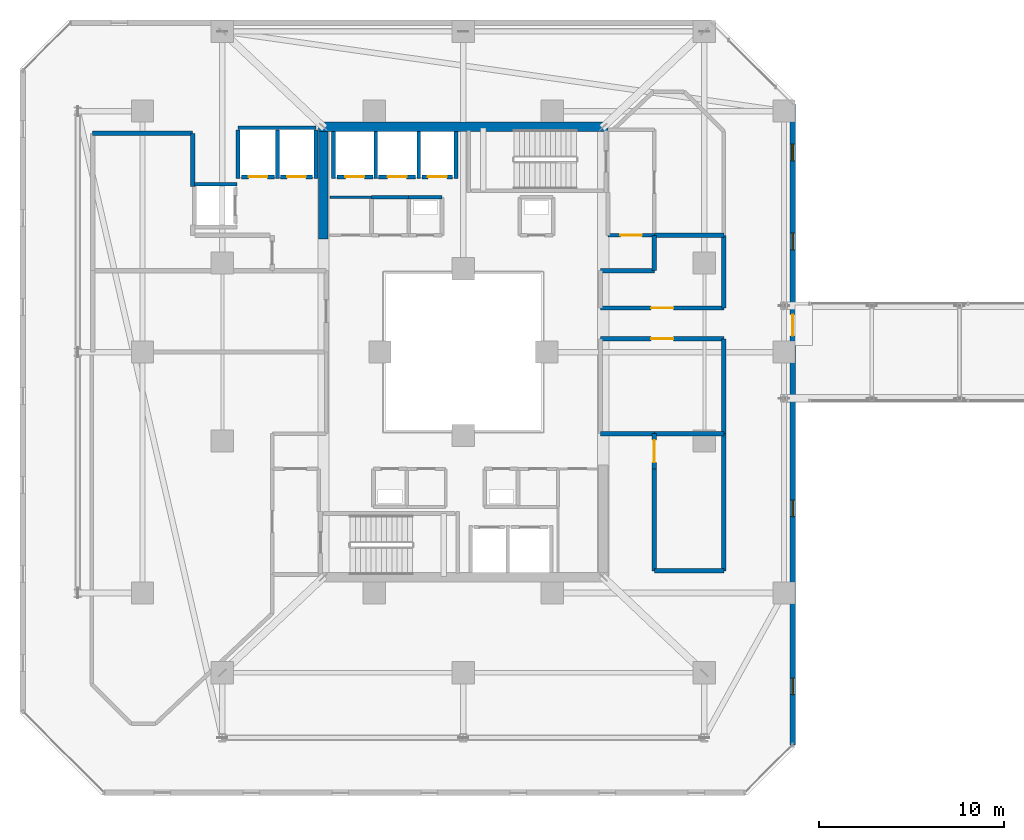
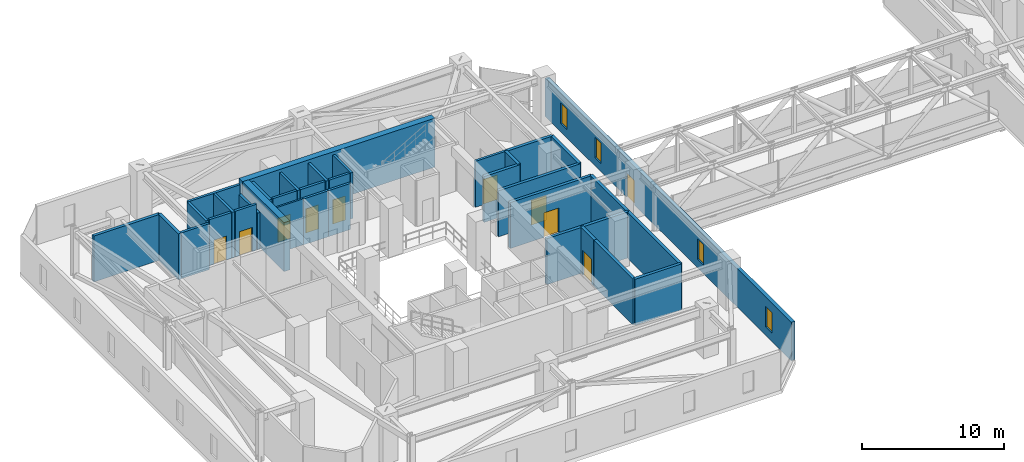
# One storey, part 37 of 45: 36 walls, 10 doors, 4 windows, 14 openings.
"""IFC4 building model written with IfcOpenShell, lengths in metres."""

from ifc_helpers import new_model, si_unit, direction, frame, frame_2d, origin, place, context, subcontext, project, spatial, rectangle, extrude, material, layer, layer_set, type_object, element, fill, save


model = new_model("IFC4")

# Units and contexts
model_context = context("Model", 3, precision=1e-05, world=origin(), true_north=direction((0.0, 1.0)))
body_context = subcontext(model_context, "Body", "Model", "MODEL_VIEW")
ifc_project = project(units=[si_unit("LENGTHUNIT", "METRE"), si_unit("AREAUNIT", "SQUARE_METRE"), si_unit("VOLUMEUNIT", "CUBIC_METRE"), si_unit("PLANEANGLEUNIT", "RADIAN"), si_unit("MASSUNIT", "GRAM", prefix="KILO")], contexts=[model_context])

# Site, building, storey
site_placement = place(None, origin())
site = spatial("IfcSite", under=ifc_project, at=site_placement, CompositionType="ELEMENT")
building_placement = place(site_placement, origin())
building = spatial("IfcBuilding", under=site, at=building_placement, Name="Thornwick Lancets Civic Towers", CompositionType="ELEMENT")
storey_placement = place(building_placement, frame((0.0, 0.0, 141.300048828125)))
storey = spatial("IfcBuildingStorey", under=building, at=storey_placement, Name="L37", CompositionType="ELEMENT", Elevation=141.300048828125)

# Wall, opening, door
ifc_material_1 = material(Name="Concrete blockwork C40/50", Category="masonry")
ifc_layer_1 = layer(ifc_material_1, 0.199951171875, Name="Concrete blockwork C40/50")
ifc_layer_set_1 = layer_set([ifc_layer_1], Name="Concrete blockwork C40/50")
wall_type_1 = type_object("IfcWallType", Name="WALL_COMP_200", PredefinedType="STANDARD", material=ifc_layer_set_1)
wall_1_placement = place(storey_placement, frame((24.919921875, 36.449951171875, 0.0), z_axis=(0.0, 0.0, 1.0), x_axis=(-1.0, 0.0, 0.0)))
wall_1 = element("IfcWall", 1, at=wall_1_placement, inside=storey, type_object=wall_type_1, Name="L37 Hoistway Front Wall FL-A2", PredefinedType="STANDARD", context=body_context, shape_type="SweptSolid", body=[
    extrude(rectangle(XDim=1.639892578125, YDim=0.199951171875, at=frame_2d((0.81982421875, 0.0))), origin(), (0.0, 0.0, 1.0), 3.93994140625),
])
opening_1_placement = place(wall_1_placement, frame((0.31005859375, 0.0, 0.0)))
opening_1 = element("IfcOpeningElement", 2, at=opening_1_placement, cuts=wall_1, Name="Opening LD-FL-A2", PredefinedType="OPENING", context=body_context, shape_type="SweptSolid", body=[
    extrude(rectangle(XDim=1.02001953125, YDim=2.06005859375, at=frame_2d((0.510009765625, 1.030029296875))), frame((0.0, 0.10986328125, 0.0), z_axis=(0.0, -1.0, 0.0), x_axis=(1.0, 0.0, 0.0)), (0.0, 0.0, 1.0), 0.219970703125),
])
ifc_material_2 = material(Name="Brushed bronze stainless steel", Category="steel")
door_type_1 = type_object("IfcDoorType", Name="DOOR_LIFT_SLIDE", OperationType="SLIDING_TO_LEFT", PredefinedType="DOOR", material=ifc_material_2)
door_1_placement = place(opening_1_placement, origin())
door_1 = element("IfcDoor", 3, at=door_1_placement, inside=storey, type_object=door_type_1, Name="L37 Sliding Lift Landing Door LD-FL-A2", OperationType="SLIDING_TO_LEFT", OverallHeight=2.06005859375, OverallWidth=1.02001953125, PredefinedType="DOOR", context=body_context, shape_type="SweptSolid", body=[
    extrude(rectangle(XDim=1.02001953125, YDim=2.06005859375, at=frame_2d((0.510009765625, 1.030029296875))), frame((0.0, 0.02490234375, 0.0), z_axis=(0.0, -1.0, 0.0), x_axis=(1.0, 0.0, 0.0)), (0.0, 0.0, 1.0), 0.050048828125),
])
fill(opening_1, door_1)

wall_2_placement = place(storey_placement, frame((22.919921875, 36.449951171875, 0.0), z_axis=(0.0, 0.0, 1.0), x_axis=(-1.0, 0.0, 0.0)))
wall_2 = element("IfcWall", 4, at=wall_2_placement, inside=storey, type_object=wall_type_1, Name="L37 Hoistway Front Wall PL-AH2", PredefinedType="STANDARD", context=body_context, shape_type="SweptSolid", body=[
    extrude(rectangle(XDim=1.989990234375, YDim=0.199951171875, at=frame_2d((0.9951171875, 0.0))), origin(), (0.0, 0.0, 1.0), 3.93994140625),
])
opening_2_placement = place(wall_2_placement, frame((0.485107421875, 0.0, 0.0)))
opening_2 = element("IfcOpeningElement", 5, at=opening_2_placement, cuts=wall_2, Name="Opening LD-PL-AH2", PredefinedType="OPENING", context=body_context, shape_type="SweptSolid", body=[
    extrude(rectangle(XDim=1.02001953125, YDim=2.06005859375, at=frame_2d((0.510009765625, 1.030029296875))), frame((0.0, 0.10986328125, 0.0), z_axis=(0.0, -1.0, 0.0), x_axis=(1.0, 0.0, 0.0)), (0.0, 0.0, 1.0), 0.219970703125),
])
door_2_placement = place(opening_2_placement, origin())
door_2 = element("IfcDoor", 6, at=door_2_placement, inside=storey, type_object=door_type_1, Name="L37 Sliding Lift Landing Door LD-PL-AH2", OperationType="SLIDING_TO_LEFT", OverallHeight=2.06005859375, OverallWidth=1.02001953125, PredefinedType="DOOR", context=body_context, shape_type="SweptSolid", body=[
    extrude(rectangle(XDim=1.02001953125, YDim=2.06005859375, at=frame_2d((0.510009765625, 1.030029296875))), frame((0.0, 0.02490234375, 0.0), z_axis=(0.0, -1.0, 0.0), x_axis=(1.0, 0.0, 0.0)), (0.0, 0.0, 1.0), 0.050048828125),
])
fill(opening_2, door_2)

wall_3_placement = place(storey_placement, frame((20.6201171875, 36.449951171875, 0.0), z_axis=(0.0, 0.0, 1.0), x_axis=(-1.0, 0.0, 0.0)))
wall_3 = element("IfcWall", 7, at=wall_3_placement, inside=storey, type_object=wall_type_1, Name="L37 Hoistway Front Wall PL-AH3", PredefinedType="STANDARD", context=body_context, shape_type="SweptSolid", body=[
    extrude(rectangle(XDim=1.940185546875, YDim=0.199951171875, at=frame_2d((0.97021484375, 0.0))), origin(), (0.0, 0.0, 1.0), 3.93994140625),
])
opening_3_placement = place(wall_3_placement, frame((0.4599609375, 0.0, 0.0)))
opening_3 = element("IfcOpeningElement", 8, at=opening_3_placement, cuts=wall_3, Name="Opening LD-PL-AH3", PredefinedType="OPENING", context=body_context, shape_type="SweptSolid", body=[
    extrude(rectangle(XDim=1.02001953125, YDim=2.06005859375, at=frame_2d((0.510009765625, 1.030029296875))), frame((0.0, 0.10986328125, 0.0), z_axis=(0.0, -1.0, 0.0), x_axis=(1.0, 0.0, 0.0)), (0.0, 0.0, 1.0), 0.219970703125),
])
door_3_placement = place(opening_3_placement, origin())
door_3 = element("IfcDoor", 9, at=door_3_placement, inside=storey, type_object=door_type_1, Name="L37 Sliding Lift Landing Door LD-PL-AH3", OperationType="SLIDING_TO_LEFT", OverallHeight=2.06005859375, OverallWidth=1.02001953125, PredefinedType="DOOR", context=body_context, shape_type="SweptSolid", body=[
    extrude(rectangle(XDim=1.02001953125, YDim=2.06005859375, at=frame_2d((0.510009765625, 1.030029296875))), frame((0.0, 0.02490234375, 0.0), z_axis=(0.0, -1.0, 0.0), x_axis=(1.0, 0.0, 0.0)), (0.0, 0.0, 1.0), 0.050048828125),
])
fill(opening_3, door_3)

wall_4_placement = place(storey_placement, frame((17.3701171875, 36.449951171875, 0.0), z_axis=(0.0, 0.0, 1.0), x_axis=(-1.0, 0.0, 0.0)))
wall_4 = element("IfcWall", 10, at=wall_4_placement, inside=storey, type_object=wall_type_1, Name="L37 Hoistway Front Wall PL-AM1", PredefinedType="STANDARD", context=body_context, shape_type="SweptSolid", body=[
    extrude(rectangle(XDim=1.740234375, YDim=0.199951171875, at=frame_2d((0.8701171875, 0.0))), origin(), (0.0, 0.0, 1.0), 3.93994140625),
])
opening_4_placement = place(wall_4_placement, frame((0.360107421875, 0.0, 0.0)))
opening_4 = element("IfcOpeningElement", 11, at=opening_4_placement, cuts=wall_4, Name="Opening LD-PL-AM1", PredefinedType="OPENING", context=body_context, shape_type="SweptSolid", body=[
    extrude(rectangle(XDim=1.02001953125, YDim=2.06005859375, at=frame_2d((0.510009765625, 1.030029296875))), frame((0.0, 0.10986328125, 0.0), z_axis=(0.0, -1.0, 0.0), x_axis=(1.0, 0.0, 0.0)), (0.0, 0.0, 1.0), 0.219970703125),
])
door_4_placement = place(opening_4_placement, origin())
door_4 = element("IfcDoor", 12, at=door_4_placement, inside=storey, type_object=door_type_1, Name="L37 Sliding Lift Landing Door LD-PL-AM1", OperationType="SLIDING_TO_LEFT", OverallHeight=2.06005859375, OverallWidth=1.02001953125, PredefinedType="DOOR", context=body_context, shape_type="SweptSolid", body=[
    extrude(rectangle(XDim=1.02001953125, YDim=2.06005859375, at=frame_2d((0.510009765625, 1.030029296875))), frame((0.0, 0.02490234375, 0.0), z_axis=(0.0, -1.0, 0.0), x_axis=(1.0, 0.0, 0.0)), (0.0, 0.0, 1.0), 0.050048828125),
])
fill(opening_4, door_4)

wall_5_placement = place(storey_placement, frame((15.320068359375, 36.449951171875, 0.0), z_axis=(0.0, 0.0, 1.0), x_axis=(-1.0, 0.0, 0.0)))
wall_5 = element("IfcWall", 13, at=wall_5_placement, inside=storey, type_object=wall_type_1, Name="L37 Hoistway Front Wall PL-AM2", PredefinedType="STANDARD", context=body_context, shape_type="SweptSolid", body=[
    extrude(rectangle(XDim=1.7900390625, YDim=0.199951171875, at=frame_2d((0.89501953125, 0.0))), origin(), (0.0, 0.0, 1.0), 3.93994140625),
])
opening_5_placement = place(wall_5_placement, frame((0.385009765625, 0.0, 0.0)))
opening_5 = element("IfcOpeningElement", 14, at=opening_5_placement, cuts=wall_5, Name="Opening LD-PL-AM2", PredefinedType="OPENING", context=body_context, shape_type="SweptSolid", body=[
    extrude(rectangle(XDim=1.02001953125, YDim=2.06005859375, at=frame_2d((0.510009765625, 1.030029296875))), frame((0.0, 0.10986328125, 0.0), z_axis=(0.0, -1.0, 0.0), x_axis=(1.0, 0.0, 0.0)), (0.0, 0.0, 1.0), 0.219970703125),
])
door_5_placement = place(opening_5_placement, origin())
door_5 = element("IfcDoor", 15, at=door_5_placement, inside=storey, type_object=door_type_1, Name="L37 Sliding Lift Landing Door LD-PL-AM2", OperationType="SLIDING_TO_LEFT", OverallHeight=2.06005859375, OverallWidth=1.02001953125, PredefinedType="DOOR", context=body_context, shape_type="SweptSolid", body=[
    extrude(rectangle(XDim=1.02001953125, YDim=2.06005859375, at=frame_2d((0.510009765625, 1.030029296875))), frame((0.0, 0.02490234375, 0.0), z_axis=(0.0, -1.0, 0.0), x_axis=(1.0, 0.0, 0.0)), (0.0, 0.0, 1.0), 0.050048828125),
])
fill(opening_5, door_5)

# Walls
for number, where, z_axis, x_axis, name in (
    (16, (25.10009765625, 36.35205078125, 0.0), (0.0, 0.0, 1.0), (0.0, 1.0, 0.0), "L37 Hoistway Shaft Wall FL-A2 E"),
    (17, (23.10009765625, 36.35205078125, 0.0), (0.0, 0.0, 1.0), (0.0, 1.0, 0.0), "L37 Hoistway Shaft Wall FL-A2 W"),
    (18, (20.77490234375, 36.35205078125, 0.0), (0.0, 0.0, 1.0), (0.0, 1.0, 0.0), "L37 Hoistway Shaft Wall PL-AH2 W"),
    (19, (18.5, 36.35205078125, 0.0), (0.0, 0.0, 1.0), (0.0, 1.0, 0.0), "L37 Hoistway Shaft Wall PL-AH3 W"),
):
    element("IfcWall", number, at=place(storey_placement, frame(where, z_axis=z_axis, x_axis=x_axis)), inside=storey, type_object=wall_type_1, Name=name, PredefinedType="STANDARD", context=body_context, shape_type="SweptSolid", body=[
        extrude(rectangle(XDim=2.535888671875, YDim=0.199951171875, at=frame_2d((1.26806640625, 0.0))), origin(), (0.0, 0.0, 1.0), 3.93994140625),
    ])
wall_6_placement = place(storey_placement, frame((13.35205078125, 39.10009765625, 0.0), z_axis=(0.0, 0.0, 1.0), x_axis=(1.0, 0.0, 0.0)))
element("IfcWall", 20, at=wall_6_placement, inside=storey, type_object=wall_type_1, Name="L37 Hoistway Shaft Wall PL-AM1 N", PredefinedType="STANDARD", context=body_context, shape_type="SweptSolid", body=[
    extrude(rectangle(XDim=4.196044921875, YDim=0.199951171875, at=frame_2d((2.09814453125, 0.0))), origin(), (0.0, 0.0, 1.0), 3.93994140625),
])
wall_7_placement = place(storey_placement, frame((17.550048828125, 36.35205078125, 0.0), z_axis=(0.0, 0.0, 1.0), x_axis=(0.0, 1.0, 0.0)))
element("IfcWall", 21, at=wall_7_placement, inside=storey, type_object=wall_type_1, Name="L37 Hoistway Shaft Wall PL-AM1 E", PredefinedType="STANDARD", context=body_context, shape_type="SweptSolid", body=[
    extrude(rectangle(XDim=2.635986328125, YDim=0.199951171875, at=frame_2d((1.31787109375, 0.0))), origin(), (0.0, 0.0, 1.0), 3.14501953125),
])
for number, where, z_axis, x_axis, name in (
    (22, (15.47509765625, 36.35205078125, 0.0), (0.0, 0.0, 1.0), (0.0, 1.0, 0.0), "L37 Hoistway Shaft Wall PL-AM1 W"),
    (23, (13.35009765625, 36.35205078125, 0.0), (0.0, 0.0, 1.0), (0.0, 1.0, 0.0), "L37 Hoistway Shaft Wall PL-AM2 W"),
):
    element("IfcWall", number, at=place(storey_placement, frame(where, z_axis=z_axis, x_axis=x_axis)), inside=storey, type_object=wall_type_1, Name=name, PredefinedType="STANDARD", context=body_context, shape_type="SweptSolid", body=[
        extrude(rectangle(XDim=2.635986328125, YDim=0.199951171875, at=frame_2d((1.31787109375, 0.0))), origin(), (0.0, 0.0, 1.0), 3.93994140625),
    ])
wall_8_placement = place(storey_placement, frame((11.001953125, 36.050048828125, 0.0), z_axis=(0.0, 0.0, 1.0), x_axis=(1.0, 0.0, 0.0)))
element("IfcWall", 24, at=wall_8_placement, inside=storey, type_object=wall_type_1, Name="L37 Hoistway Shaft Wall PL-AM3 N", PredefinedType="STANDARD", context=body_context, shape_type="SweptSolid", body=[
    extrude(rectangle(XDim=2.296142578125, YDim=0.199951171875, at=frame_2d((1.14794921875, 0.0))), origin(), (0.0, 0.0, 1.0), 3.93994140625),
])

# Wall, opening, door
wall_9_placement = place(storey_placement, frame((33.300048828125, 33.300048828125, 0.0), z_axis=(0.0, 0.0, 1.0), x_axis=(1.0, 0.0, 0.0)))
wall_9 = element("IfcWall", 25, at=wall_9_placement, inside=storey, type_object=wall_type_1, Name="L37 Partition L37-A-FFLOB2 E1", PredefinedType="STANDARD", context=body_context, shape_type="SweptSolid", body=[
    extrude(rectangle(XDim=2.5, YDim=0.199951171875, at=frame_2d((1.25, 0.0))), origin(), (0.0, 0.0, 1.0), 3.93994140625),
])
opening_6_placement = place(wall_9_placement, frame((0.675048828125, 0.0, 0.0)))
opening_6 = element("IfcOpeningElement", 26, at=opening_6_placement, cuts=wall_9, Name="Opening D-L37-1668", PredefinedType="OPENING", context=body_context, shape_type="SweptSolid", body=[
    extrude(rectangle(XDim=1.14990234375, YDim=2.10009765625, at=frame_2d((0.574951171875, 1.050048828125))), frame((0.0, 0.10986328125, 0.0), z_axis=(0.0, -1.0, 0.0), x_axis=(1.0, 0.0, 0.0)), (0.0, 0.0, 1.0), 0.219970703125),
])
ifc_material_3 = material(Name="Glazed fire-resisting steel", Category="steel")
door_type_2 = type_object("IfcDoorType", Name="DOOR_LOBBY_FD60", OperationType="NOTDEFINED", PredefinedType="DOOR", material=ifc_material_3)
door_6_placement = place(opening_6_placement, origin())
door_6 = element("IfcDoor", 27, at=door_6_placement, inside=storey, type_object=door_type_2, Name="L37 North Firefighting Lobby 2 Door", OperationType="SINGLE_SWING_LEFT", OverallHeight=2.10009765625, OverallWidth=1.14990234375, PredefinedType="DOOR", context=body_context, shape_type="SweptSolid", body=[
    extrude(rectangle(XDim=1.14990234375, YDim=2.10009765625, at=frame_2d((0.574951171875, 1.050048828125))), frame((0.0, 0.02490234375, 0.0), z_axis=(0.0, -1.0, 0.0), x_axis=(1.0, 0.0, 0.0)), (0.0, 0.0, 1.0), 0.050048828125),
])
fill(opening_6, door_6)

# Walls
wall_10_placement = place(storey_placement, frame((24.35009765625, 35.35009765625, 0.0), z_axis=(0.0, 0.0, 1.0), x_axis=(-1.0, 0.0, 0.0)))
element("IfcWall", 28, at=wall_10_placement, inside=storey, type_object=wall_type_1, Name="L37 Partition L37-A-DUCT2 E3", PredefinedType="STANDARD", context=body_context, shape_type="SweptSolid", body=[
    extrude(rectangle(XDim=1.800048828125, YDim=0.199951171875, at=frame_2d((0.89990234375, 0.0))), origin(), (0.0, 0.0, 1.0), 3.93994140625),
])
wall_11_placement = place(storey_placement, frame((20.550048828125, 35.35009765625, 0.0), z_axis=(0.0, 0.0, 1.0), x_axis=(1.0, 0.0, 0.0)))
element("IfcWall", 29, at=wall_11_placement, inside=storey, type_object=wall_type_1, Name="L37 Partition L37-A-STR E2", PredefinedType="STANDARD", context=body_context, shape_type="SweptSolid", body=[
    extrude(rectangle(XDim=2.0, YDim=0.199951171875, at=frame_2d((1.0, 0.0))), origin(), (0.0, 0.0, 1.0), 3.93994140625),
])

# Wall, opening, door
ifc_layer_2 = layer(ifc_material_1, 0.239990234375, Name="Concrete blockwork C40/50")
ifc_layer_set_2 = layer_set([ifc_layer_2], Name="Concrete blockwork C40/50")
wall_type_2 = type_object("IfcWallType", Name="WALL_COMP_240", PredefinedType="STANDARD", material=ifc_layer_set_2)
wall_12_placement = place(storey_placement, frame((32.89990234375, 27.719970703125, 0.0), z_axis=(0.0, 0.0, 1.0), x_axis=(1.0, 0.0, 0.0)))
wall_12 = element("IfcWall", 30, at=wall_12_placement, inside=storey, type_object=wall_type_2, Name="L37 Partition L37-A-PL-SMK E1", PredefinedType="STANDARD", context=body_context, shape_type="SweptSolid", body=[
    extrude(rectangle(XDim=6.650146484375, YDim=0.239990234375, at=frame_2d((3.3251953125, 0.0))), origin(), (0.0, 0.0, 1.0), 3.93994140625),
])
opening_7_placement = place(wall_12_placement, frame((2.72509765625, 0.0, 0.0)))
opening_7 = element("IfcOpeningElement", 31, at=opening_7_placement, cuts=wall_12, Name="Opening D-L37-1689", PredefinedType="OPENING", context=body_context, shape_type="SweptSolid", body=[
    extrude(rectangle(XDim=1.199951171875, YDim=2.10009765625, at=frame_2d((0.60009765625, 1.050048828125))), frame((0.0, 0.1298828125, 0.0), z_axis=(0.0, -1.0, 0.0), x_axis=(1.0, 0.0, 0.0)), (0.0, 0.0, 1.0), 0.260009765625),
])
ifc_material_4 = material(Name="Steel plant room doorset", Category="steel")
door_type_3 = type_object("IfcDoorType", Name="DOOR_PLANT_1200", OperationType="NOTDEFINED", PredefinedType="DOOR", material=ifc_material_4)
door_7_placement = place(opening_7_placement, origin())
door_7 = element("IfcDoor", 32, at=door_7_placement, inside=storey, type_object=door_type_3, Name="L37 Tower A Smoke Extract Fan Plant Room Door", OperationType="SINGLE_SWING_RIGHT", OverallHeight=2.10009765625, OverallWidth=1.199951171875, PredefinedType="DOOR", context=body_context, shape_type="SweptSolid", body=[
    extrude(rectangle(XDim=1.199951171875, YDim=2.10009765625, at=frame_2d((0.60009765625, 1.050048828125))), frame((0.0, 0.02490234375, 0.0), z_axis=(0.0, -1.0, 0.0), x_axis=(1.0, 0.0, 0.0)), (0.0, 0.0, 1.0), 0.050048828125),
])
fill(opening_7, door_7)

# Walls
wall_13_placement = place(storey_placement, frame((39.550048828125, 27.719970703125, 0.0), z_axis=(0.0, 0.0, 1.0), x_axis=(0.0, -1.0, 0.0)))
element("IfcWall", 33, at=wall_13_placement, inside=storey, type_object=wall_type_2, Name="L37 Partition L37-A-PL-SMK E2", PredefinedType="STANDARD", context=body_context, shape_type="SweptSolid", body=[
    extrude(rectangle(XDim=5.119873046875, YDim=0.239990234375, at=frame_2d((2.56005859375, 0.0))), origin(), (0.0, 0.0, 1.0), 3.93994140625),
])
wall_14_placement = place(storey_placement, frame((39.550048828125, 22.60009765625, 0.0), z_axis=(0.0, 0.0, 1.0), x_axis=(-1.0, 0.0, 0.0)))
element("IfcWall", 34, at=wall_14_placement, inside=storey, type_object=wall_type_2, Name="L37 Partition L37-A-PL-SMK E3", PredefinedType="STANDARD", context=body_context, shape_type="SweptSolid", body=[
    extrude(rectangle(XDim=3.75, YDim=0.239990234375, at=frame_2d((1.875, 0.0))), origin(), (0.0, 0.0, 1.0), 3.93994140625),
])
for number, where, z_axis, x_axis, name in (
    (35, (35.800048828125, 22.60009765625, 0.0), (0.0, 0.0, 1.0), (-1.0, 0.0, 0.0), "L37 Partition L37-A-PL-SMK E4"),
    (36, (32.89990234375, 31.39990234375, 0.0), (0.0, 0.0, 1.0), (1.0, 0.0, 0.0), "L37 Partition L37-A-PL-PRS E1"),
):
    element("IfcWall", number, at=place(storey_placement, frame(where, z_axis=z_axis, x_axis=x_axis)), inside=storey, type_object=wall_type_2, Name=name, PredefinedType="STANDARD", context=body_context, shape_type="SweptSolid", body=[
        extrude(rectangle(XDim=2.900146484375, YDim=0.239990234375, at=frame_2d((1.4501953125, 0.0))), origin(), (0.0, 0.0, 1.0), 3.93994140625),
    ])
wall_15_placement = place(storey_placement, frame((35.800048828125, 31.39990234375, 0.0), z_axis=(0.0, 0.0, 1.0), x_axis=(0.0, 1.0, 0.0)))
element("IfcWall", 37, at=wall_15_placement, inside=storey, type_object=wall_type_2, Name="L37 Partition L37-A-PL-PRS E2", PredefinedType="STANDARD", context=body_context, shape_type="SweptSolid", body=[
    extrude(rectangle(XDim=1.900146484375, YDim=0.239990234375, at=frame_2d((0.9501953125, 0.0))), origin(), (0.0, 0.0, 1.0), 3.93994140625),
])
wall_16_placement = place(storey_placement, frame((35.800048828125, 33.300048828125, 0.0), z_axis=(0.0, 0.0, 1.0), x_axis=(1.0, 0.0, 0.0)))
element("IfcWall", 38, at=wall_16_placement, inside=storey, type_object=wall_type_2, Name="L37 Partition L37-A-PL-PRS E3", PredefinedType="STANDARD", context=body_context, shape_type="SweptSolid", body=[
    extrude(rectangle(XDim=3.75, YDim=0.239990234375, at=frame_2d((1.875, 0.0))), origin(), (0.0, 0.0, 1.0), 3.93994140625),
])
wall_17_placement = place(storey_placement, frame((39.550048828125, 33.300048828125, 0.0), z_axis=(0.0, 0.0, 1.0), x_axis=(0.0, -1.0, 0.0)))
element("IfcWall", 39, at=wall_17_placement, inside=storey, type_object=wall_type_2, Name="L37 Partition L37-A-PL-PRS E4", PredefinedType="STANDARD", context=body_context, shape_type="SweptSolid", body=[
    extrude(rectangle(XDim=3.920166015625, YDim=0.239990234375, at=frame_2d((1.9599609375, 0.0))), origin(), (0.0, 0.0, 1.0), 3.93994140625),
])

# Wall, opening, door
wall_18_placement = place(storey_placement, frame((39.550048828125, 29.3798828125, 0.0), z_axis=(0.0, 0.0, 1.0), x_axis=(-1.0, 0.0, 0.0)))
wall_18 = element("IfcWall", 40, at=wall_18_placement, inside=storey, type_object=wall_type_2, Name="L37 Partition L37-A-PL-PRS E5", PredefinedType="STANDARD", context=body_context, shape_type="SweptSolid", body=[
    extrude(rectangle(XDim=6.650146484375, YDim=0.239990234375, at=frame_2d((3.3251953125, 0.0))), origin(), (0.0, 0.0, 1.0), 3.93994140625),
])
opening_8_placement = place(wall_18_placement, frame((2.72509765625, 0.0, 0.0)))
opening_8 = element("IfcOpeningElement", 41, at=opening_8_placement, cuts=wall_18, Name="Opening D-L37-1690", PredefinedType="OPENING", context=body_context, shape_type="SweptSolid", body=[
    extrude(rectangle(XDim=1.199951171875, YDim=2.10009765625, at=frame_2d((0.60009765625, 1.050048828125))), frame((0.0, 0.1298828125, 0.0), z_axis=(0.0, -1.0, 0.0), x_axis=(1.0, 0.0, 0.0)), (0.0, 0.0, 1.0), 0.260009765625),
])
door_8_placement = place(opening_8_placement, origin())
door_8 = element("IfcDoor", 42, at=door_8_placement, inside=storey, type_object=door_type_3, Name="L37 Tower A Pressurisation Air Handling Plant Room Door", OperationType="SINGLE_SWING_LEFT", OverallHeight=2.10009765625, OverallWidth=1.199951171875, PredefinedType="DOOR", context=body_context, shape_type="SweptSolid", body=[
    extrude(rectangle(XDim=1.199951171875, YDim=2.10009765625, at=frame_2d((0.60009765625, 1.050048828125))), frame((0.0, 0.02490234375, 0.0), z_axis=(0.0, -1.0, 0.0), x_axis=(1.0, 0.0, 0.0)), (0.0, 0.0, 1.0), 0.050048828125),
])
fill(opening_8, door_8)

wall_19_placement = place(storey_placement, frame((35.800048828125, 20.699951171875, 0.0), z_axis=(0.0, 0.0, 1.0), x_axis=(0.0, 1.0, 0.0)))
wall_19 = element("IfcWall", 43, at=wall_19_placement, inside=storey, type_object=wall_type_2, Name="L37 Partition L37-A-PL-CHL E1", PredefinedType="STANDARD", context=body_context, shape_type="SweptSolid", body=[
    extrude(rectangle(XDim=1.900146484375, YDim=0.239990234375, at=frame_2d((0.9501953125, 0.0))), origin(), (0.0, 0.0, 1.0), 3.93994140625),
])
opening_9_placement = place(wall_19_placement, frame((0.35009765625, 0.0, 0.0)))
opening_9 = element("IfcOpeningElement", 44, at=opening_9_placement, cuts=wall_19, Name="Opening D-L37-1694", PredefinedType="OPENING", context=body_context, shape_type="SweptSolid", body=[
    extrude(rectangle(XDim=1.199951171875, YDim=2.10009765625, at=frame_2d((0.60009765625, 1.050048828125))), frame((0.0, 0.1298828125, 0.0), z_axis=(0.0, -1.0, 0.0), x_axis=(1.0, 0.0, 0.0)), (0.0, 0.0, 1.0), 0.260009765625),
])
door_9_placement = place(opening_9_placement, origin())
door_9 = element("IfcDoor", 45, at=door_9_placement, inside=storey, type_object=door_type_3, Name="L37 Tower A Chiller and Heat-Pump Plant Room Door", OperationType="SINGLE_SWING_LEFT", OverallHeight=2.10009765625, OverallWidth=1.199951171875, PredefinedType="DOOR", context=body_context, shape_type="SweptSolid", body=[
    extrude(rectangle(XDim=1.199951171875, YDim=2.10009765625, at=frame_2d((0.60009765625, 1.050048828125))), frame((0.0, 0.02490234375, 0.0), z_axis=(0.0, -1.0, 0.0), x_axis=(1.0, 0.0, 0.0)), (0.0, 0.0, 1.0), 0.050048828125),
])
fill(opening_9, door_9)

# Walls
wall_20_placement = place(storey_placement, frame((39.550048828125, 22.60009765625, 0.0), z_axis=(0.0, 0.0, 1.0), x_axis=(0.0, -1.0, 0.0)))
element("IfcWall", 46, at=wall_20_placement, inside=storey, type_object=wall_type_2, Name="L37 Partition L37-A-PL-CHL E3", PredefinedType="STANDARD", context=body_context, shape_type="SweptSolid", body=[
    extrude(rectangle(XDim=7.400146484375, YDim=0.239990234375, at=frame_2d((3.7001953125, 0.0))), origin(), (0.0, 0.0, 1.0), 3.93994140625),
])
wall_21_placement = place(storey_placement, frame((39.550048828125, 15.199951171875, 0.0), z_axis=(0.0, 0.0, 1.0), x_axis=(-1.0, 0.0, 0.0)))
element("IfcWall", 47, at=wall_21_placement, inside=storey, type_object=wall_type_2, Name="L37 Partition L37-A-PL-CHL E4", PredefinedType="STANDARD", context=body_context, shape_type="SweptSolid", body=[
    extrude(rectangle(XDim=3.75, YDim=0.239990234375, at=frame_2d((1.875, 0.0))), origin(), (0.0, 0.0, 1.0), 3.93994140625),
])
wall_22_placement = place(storey_placement, frame((35.800048828125, 15.199951171875, 0.0), z_axis=(0.0, 0.0, 1.0), x_axis=(0.0, 1.0, 0.0)))
element("IfcWall", 48, at=wall_22_placement, inside=storey, type_object=wall_type_2, Name="L37 Partition L37-A-PL-CHL E5", PredefinedType="STANDARD", context=body_context, shape_type="SweptSolid", body=[
    extrude(rectangle(XDim=5.5, YDim=0.239990234375, at=frame_2d((2.75, 0.0))), origin(), (0.0, 0.0, 1.0), 3.93994140625),
])
wall_23_placement = place(storey_placement, frame((10.89990234375, 38.800048828125, 0.0), z_axis=(0.0, 0.0, 1.0), x_axis=(0.0, -1.0, 0.0)))
element("IfcWall", 49, at=wall_23_placement, inside=storey, type_object=wall_type_2, Name="L37 Partition L37-A-PL-ELC E1", PredefinedType="STANDARD", context=body_context, shape_type="SweptSolid", body=[
    extrude(rectangle(XDim=2.862060546875, YDim=0.239990234375, at=frame_2d((1.43115234375, 0.0))), origin(), (0.0, 0.0, 1.0), 3.93994140625),
])
wall_24_placement = place(storey_placement, frame((5.5, 38.800048828125, 0.0), z_axis=(0.0, 0.0, 1.0), x_axis=(1.0, 0.0, 0.0)))
element("IfcWall", 50, at=wall_24_placement, inside=storey, type_object=wall_type_2, Name="L37 Partition L37-A-PL-ELC E6", PredefinedType="STANDARD", context=body_context, shape_type="SweptSolid", body=[
    extrude(rectangle(XDim=5.39990234375, YDim=0.239990234375, at=frame_2d((2.699951171875, 0.0))), origin(), (0.0, 0.0, 1.0), 3.93994140625),
])
ifc_material_5 = material(Name="Concrete C50/60", Category="concrete")
ifc_layer_3 = layer(ifc_material_5, 0.5, Name="Concrete C50/60")
ifc_layer_set_3 = layer_set([ifc_layer_3], Name="Concrete C50/60")
wall_type_3 = type_object("IfcWallType", Name="WALL_CORE_500", PredefinedType="SHEAR", material=ifc_layer_set_3)
wall_25_placement = place(storey_placement, frame((17.699951171875, 39.14990234375, 0.0), z_axis=(0.0, 0.0, 1.0), x_axis=(1.0, 0.0, 0.0)))
element("IfcWall", 51, at=wall_25_placement, inside=storey, type_object=wall_type_3, Name="L37 Split Core A2 Shear Wall N", PredefinedType="SHEAR", context=body_context, shape_type="SweptSolid", body=[
    extrude(rectangle(XDim=15.60009765625, YDim=0.5, at=frame_2d((7.800048828125, 0.0))), origin(), (0.0, 0.0, 1.0), 4.199951171875),
])
wall_26_placement = place(storey_placement, frame((17.949951171875, 33.10009765625, 0.0), z_axis=(0.0, 0.0, 1.0), x_axis=(0.0, 1.0, 0.0)))
element("IfcWall", 52, at=wall_26_placement, inside=storey, type_object=wall_type_3, Name="L37 Split Core A2 Shear Wall W", PredefinedType="SHEAR", context=body_context, shape_type="SweptSolid", body=[
    extrude(rectangle(XDim=5.7998046875, YDim=0.5, at=frame_2d((2.89990234375, 0.0))), origin(), (0.0, 0.0, 1.0), 4.199951171875),
])

# Wall, openings, door, windows
ifc_material_6 = material(Name="Insulated russet terracotta rainscreen on concrete C40/50", Category="masonry")
ifc_layer_4 = layer(ifc_material_6, 0.300048828125, Name="Insulated russet terracotta rainscreen on concrete C40/50")
ifc_layer_set_4 = layer_set([ifc_layer_4], Name="Insulated russet terracotta rainscreen on concrete C40/50")
wall_type_4 = type_object("IfcWallType", Name="WALL_EXT_RUSSET_300", PredefinedType="STANDARD", material=ifc_layer_set_4)
wall_27_placement = place(storey_placement, frame((43.2646484375, 5.818603515625, 0.0), z_axis=(0.0, 0.0, 1.0), x_axis=(-0.000169493917, 0.999999985636, 0.0)))
wall_27 = element("IfcWall", 53, at=wall_27_placement, inside=storey, type_object=wall_type_4, Name="L37 Tower A Terracotta Facade Wall E2", PredefinedType="STANDARD", context=body_context, shape_type="SweptSolid", body=[
    extrude(rectangle(XDim=34.56982421875, YDim=0.300048828125, at=frame_2d((17.284912109375, 0.0))), origin(), (0.0, 0.0, 1.0), 3.300048828125),
])
opening_10_placement = place(wall_27_placement, frame((22.056396484375, 0.0, 0.0)))
opening_10 = element("IfcOpeningElement", 54, at=opening_10_placement, cuts=wall_27, Name="Opening D-BRG-L37-A", PredefinedType="OPENING", context=body_context, shape_type="SweptSolid", body=[
    extrude(rectangle(XDim=1.14990234375, YDim=2.10009765625, at=frame_2d((0.574951171875, 1.050048828125))), frame((0.0, 0.16015625, 0.0), z_axis=(0.0, -1.0, 0.0), x_axis=(1.0, 0.0, 0.0)), (0.0, 0.0, 1.0), 0.320068359375),
])
opening_11_placement = place(wall_27_placement, frame((2.699951171875, 0.0, 0.719970703125)))
opening_11 = element("IfcOpeningElement", 55, at=opening_11_placement, cuts=wall_27, Name="Opening WL-01", PredefinedType="OPENING", context=body_context, shape_type="SweptSolid", body=[
    extrude(rectangle(XDim=0.89990234375, YDim=1.75, at=frame_2d((0.449951171875, 0.875))), frame((0.0, 0.16015625, 0.0), z_axis=(0.0, -1.0, 0.0), x_axis=(1.0, 0.0, 0.0)), (0.0, 0.0, 1.0), 0.320068359375),
])
opening_12_placement = place(wall_27_placement, frame((12.300048828125, 0.0, 0.719970703125)))
opening_12 = element("IfcOpeningElement", 56, at=opening_12_placement, cuts=wall_27, Name="Opening WL-01", PredefinedType="OPENING", context=body_context, shape_type="SweptSolid", body=[
    extrude(rectangle(XDim=0.89990234375, YDim=1.75, at=frame_2d((0.449951171875, 0.875))), frame((0.0, 0.16015625, 0.0), z_axis=(0.0, -1.0, 0.0), x_axis=(1.0, 0.0, 0.0)), (0.0, 0.0, 1.0), 0.320068359375),
])
opening_13_placement = place(wall_27_placement, frame((26.699951171875, 0.0, 0.719970703125)))
opening_13 = element("IfcOpeningElement", 57, at=opening_13_placement, cuts=wall_27, Name="Opening WL-01", PredefinedType="OPENING", context=body_context, shape_type="SweptSolid", body=[
    extrude(rectangle(XDim=0.89990234375, YDim=1.75, at=frame_2d((0.449951171875, 0.875))), frame((0.0, 0.16015625, 0.0), z_axis=(0.0, -1.0, 0.0), x_axis=(1.0, 0.0, 0.0)), (0.0, 0.0, 1.0), 0.320068359375),
])
opening_14_placement = place(wall_27_placement, frame((31.5, 0.0, 0.719970703125)))
opening_14 = element("IfcOpeningElement", 58, at=opening_14_placement, cuts=wall_27, Name="Opening WL-01", PredefinedType="OPENING", context=body_context, shape_type="SweptSolid", body=[
    extrude(rectangle(XDim=0.89990234375, YDim=1.75, at=frame_2d((0.449951171875, 0.875))), frame((0.0, 0.16015625, 0.0), z_axis=(0.0, -1.0, 0.0), x_axis=(1.0, 0.0, 0.0)), (0.0, 0.0, 1.0), 0.320068359375),
])
ifc_material_7 = material(Name="Fire-resisting steel doorset", Category="steel")
door_type_4 = type_object("IfcDoorType", Name="DOOR_BRIDGE_FD120", OperationType="DOUBLE_DOOR_SINGLE_SWING", PredefinedType="DOOR", material=ifc_material_7)
door_10_placement = place(opening_10_placement, origin())
door_10 = element("IfcDoor", 59, at=door_10_placement, inside=storey, type_object=door_type_4, Name="L37 Tower A Skybridge Escape Fire Door", OperationType="DOUBLE_DOOR_SINGLE_SWING", OverallHeight=2.10009765625, OverallWidth=1.14990234375, PredefinedType="DOOR", context=body_context, shape_type="SweptSolid", body=[
    extrude(rectangle(XDim=1.14990234375, YDim=2.10009765625, at=frame_2d((0.574951171875, 1.050048828125))), frame((0.0, 0.02490234375, 0.0), z_axis=(0.0, -1.0, 0.0), x_axis=(1.0, 0.0, 0.0)), (0.0, 0.0, 1.0), 0.050048828125),
])
fill(opening_10, door_10)
ifc_material_8 = material(Name="Clear low-e double glazing in bronze frame", Category="glass")
window_type = type_object("IfcWindowType", Name="WIN_LANCET_900", PartitioningType="SINGLE_PANEL", PredefinedType="WINDOW", material=ifc_material_8)
window_1_placement = place(opening_11_placement, origin())
window_1 = element("IfcWindow", 60, at=window_1_placement, inside=storey, type_object=window_type, Name="L37 Tower A Staggered Lancet Window E2-1", OverallHeight=1.75, OverallWidth=0.89990234375, PartitioningType="SINGLE_PANEL", PredefinedType="WINDOW", context=body_context, shape_type="SweptSolid", body=[
    extrude(rectangle(XDim=0.89990234375, YDim=1.75, at=frame_2d((0.449951171875, 0.875))), frame((0.0, 0.030029296875, 0.0), z_axis=(0.0, -1.0, 0.0), x_axis=(1.0, 0.0, 0.0)), (0.0, 0.0, 1.0), 0.06005859375),
])
fill(opening_11, window_1)
window_2_placement = place(opening_12_placement, origin())
window_2 = element("IfcWindow", 61, at=window_2_placement, inside=storey, type_object=window_type, Name="L37 Tower A Staggered Lancet Window E2-2", OverallHeight=1.75, OverallWidth=0.89990234375, PartitioningType="SINGLE_PANEL", PredefinedType="WINDOW", context=body_context, shape_type="SweptSolid", body=[
    extrude(rectangle(XDim=0.89990234375, YDim=1.75, at=frame_2d((0.449951171875, 0.875))), frame((0.0, 0.030029296875, 0.0), z_axis=(0.0, -1.0, 0.0), x_axis=(1.0, 0.0, 0.0)), (0.0, 0.0, 1.0), 0.06005859375),
])
fill(opening_12, window_2)
window_3_placement = place(opening_13_placement, origin())
window_3 = element("IfcWindow", 62, at=window_3_placement, inside=storey, type_object=window_type, Name="L37 Tower A Staggered Lancet Window E2-3", OverallHeight=1.75, OverallWidth=0.89990234375, PartitioningType="SINGLE_PANEL", PredefinedType="WINDOW", context=body_context, shape_type="SweptSolid", body=[
    extrude(rectangle(XDim=0.89990234375, YDim=1.75, at=frame_2d((0.449951171875, 0.875))), frame((0.0, 0.030029296875, 0.0), z_axis=(0.0, -1.0, 0.0), x_axis=(1.0, 0.0, 0.0)), (0.0, 0.0, 1.0), 0.06005859375),
])
fill(opening_13, window_3)
window_4_placement = place(opening_14_placement, origin())
window_4 = element("IfcWindow", 63, at=window_4_placement, inside=storey, type_object=window_type, Name="L37 Tower A Staggered Lancet Window E2-4", OverallHeight=1.75, OverallWidth=0.89990234375, PartitioningType="SINGLE_PANEL", PredefinedType="WINDOW", context=body_context, shape_type="SweptSolid", body=[
    extrude(rectangle(XDim=0.89990234375, YDim=1.75, at=frame_2d((0.449951171875, 0.875))), frame((0.0, 0.030029296875, 0.0), z_axis=(0.0, -1.0, 0.0), x_axis=(1.0, 0.0, 0.0)), (0.0, 0.0, 1.0), 0.06005859375),
])
fill(opening_14, window_4)

# Wall
ifc_material_9 = material(Name="Twin-stud acoustic gypsum board")
ifc_layer_5 = layer(ifc_material_9, 0.14990234375, Name="Twin-stud acoustic gypsum board")
ifc_layer_set_5 = layer_set([ifc_layer_5], Name="Twin-stud acoustic gypsum board")
wall_type_5 = type_object("IfcWallType", Name="WALL_PART_150", PredefinedType="PARTITIONING", material=ifc_layer_set_5)
wall_28_placement = place(storey_placement, frame((20.550048828125, 35.35009765625, 0.0), z_axis=(0.0, 0.0, 1.0), x_axis=(-1.0, 0.0, 0.0)))
element("IfcWall", 64, at=wall_28_placement, inside=storey, type_object=wall_type_5, Name="L37 Partition L37-A-AWC E3", PredefinedType="PARTITIONING", context=body_context, shape_type="SweptSolid", body=[
    extrude(rectangle(XDim=2.25, YDim=0.14990234375, at=frame_2d((1.125, 0.0))), origin(), (0.0, 0.0, 1.0), 3.93994140625),
])

save(model, "model.ifc")
